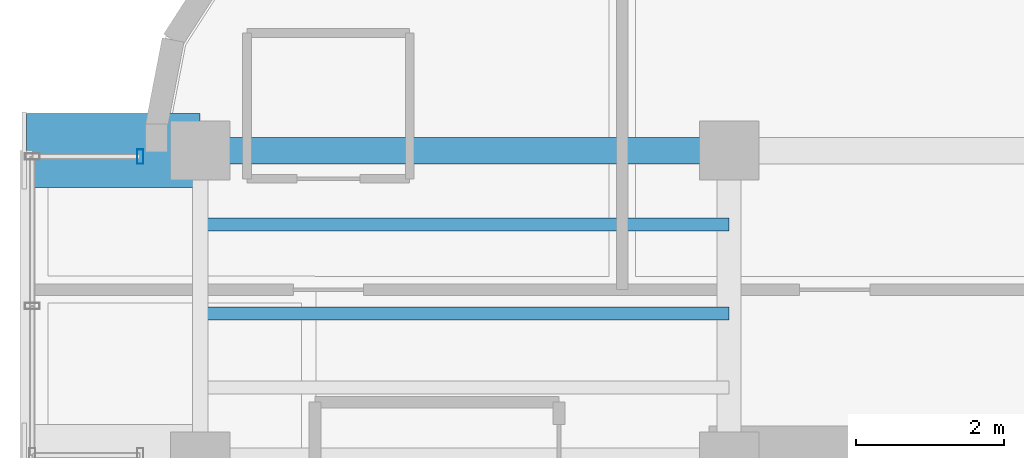
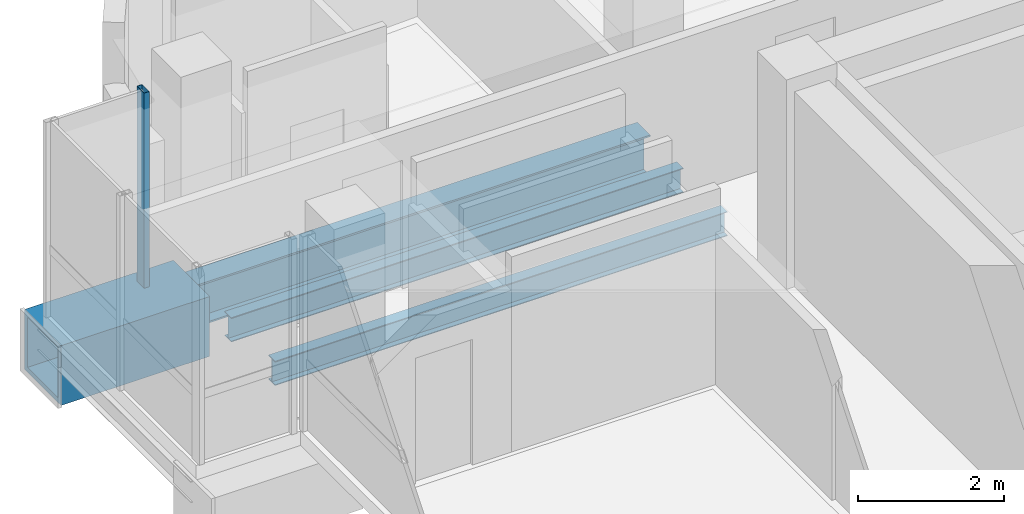
# One storey, part 8 of 21: 4 beams, 1 member, 1 element without a shape of its own.
"""IFC4 building model written with IfcOpenShell, lengths in metres."""

from ifc_helpers import new_model, si_unit, direction, frame, origin, origin_2d, place, context, subcontext, project, spatial, hollow_rectangle, i_section, extrude, source, transform, mapped, material, material_profile, profile_set, type_object, element, aggregate, save


model = new_model("IFC4")

# Units and contexts
model_context = context("Model", 3, precision=1e-05, world=origin(), true_north=direction((0.0, 1.0)))
body_context = subcontext(model_context, "Body", "Model", "MODEL_VIEW")
ifc_project = project(units=[si_unit("LENGTHUNIT", "METRE"), si_unit("AREAUNIT", "SQUARE_METRE"), si_unit("VOLUMEUNIT", "CUBIC_METRE"), si_unit("PLANEANGLEUNIT", "RADIAN"), si_unit("MASSUNIT", "GRAM", prefix="KILO")], contexts=[model_context])

# Site, building, storey
site_placement = place(None, origin())
site = spatial("IfcSite", under=ifc_project, at=site_placement, CompositionType="ELEMENT")
building_placement = place(site_placement, origin())
building = spatial("IfcBuilding", under=site, at=building_placement, Name="Valdorenza Pilgrim Sanctuary Tower", CompositionType="ELEMENT")
storey_placement = place(building_placement, frame((0.0, 0.0, 251.0)))
storey = spatial("IfcBuildingStorey", under=building, at=storey_placement, Name="L65", CompositionType="ELEMENT", Elevation=251.0)

# Beams
ifc_material_1 = material(Name="Steel ASTM A992 Grade 50", Category="steel")
ifc_material_profile_1 = material_profile(ifc_material_1, i_section(OverallWidth=0.35595703125, OverallDepth=0.700927734375, WebThickness=0.016845703125, FlangeThickness=0.02734375, at=origin_2d()), Name="W27X161")
ifc_profile_set_1 = profile_set([ifc_material_profile_1], Name="Steel ASTM A992 Grade 50")
beam_type_1 = type_object("IfcBeamType", Name="STR-BM-GRD-W27", PredefinedType="BEAM", material=ifc_profile_set_1)
shared_shape_1 = source(origin(), body_context, "Body", "SweptSolid", [
    extrude(i_section(OverallWidth=0.35595703125, OverallDepth=0.700927734375, WebThickness=0.016845703125, FlangeThickness=0.02734375, at=origin_2d()), origin(), (0.0, 0.0, 1.0), 7.150146484375),
])
beam_1_placement = place(storey_placement, frame((-29.800048828125, 14.800048828125, -0.590576171875), z_axis=(1.0, 0.0, 0.0), x_axis=(0.0, 1.0, 0.0)))
element("IfcBeam", 1, at=beam_1_placement, inside=storey, type_object=beam_type_1, Name="L65 Floor Girder WA-XW-N2", PredefinedType="BEAM", context=body_context, shape_type="MappedRepresentation", body=[
    mapped(shared_shape_1, transform((0.0, 0.0, 0.0), x_axis=(1.0, 0.0, 0.0), y_axis=(0.0, 1.0, 0.0), z_axis=(0.0, 0.0, 1.0), scale=1.0)),
])
ifc_material_profile_2 = material_profile(ifc_material_1, i_section(OverallWidth=0.177978515625, OverallDepth=0.406005859375, WebThickness=0.0078125, FlangeThickness=0.0126953125, at=origin_2d()), Name="W16X40")
ifc_profile_set_2 = profile_set([ifc_material_profile_2], Name="Steel ASTM A992 Grade 50")
beam_type_2 = type_object("IfcBeamType", Name="STR-BM-JST-W16", PredefinedType="JOIST", material=ifc_profile_set_2)
shared_shape_2 = source(origin(), body_context, "Body", "SweptSolid", [
    extrude(i_section(OverallWidth=0.177978515625, OverallDepth=0.406005859375, WebThickness=0.0078125, FlangeThickness=0.0126953125, at=origin_2d()), origin(), (0.0, 0.0, 1.0), 7.150146484375),
])
for number, where, z_axis, x_axis, name in (
    (2, (-29.800048828125, 12.60009765625, -0.443115234375), (1.0, 0.0, 0.0), (0.0, 1.0, 0.0), "L65 Composite Floor Joist JST-WA-25"),
    (3, (-29.800048828125, 13.800048828125, -0.443115234375), (1.0, 0.0, 0.0), (0.0, 1.0, 0.0), "L65 Composite Floor Joist JST-WA-26"),
):
    element("IfcBeam", number, at=place(storey_placement, frame(where, z_axis=z_axis, x_axis=x_axis)), inside=storey, type_object=beam_type_2, Name=name, PredefinedType="JOIST", context=body_context, shape_type="MappedRepresentation", body=[
        mapped(shared_shape_2, transform((0.0, 0.0, 0.0), x_axis=(1.0, 0.0, 0.0), y_axis=(0.0, 1.0, 0.0), z_axis=(0.0, 0.0, 1.0), scale=1.0)),
    ])
ifc_material_2 = material(Name="Steel ASTM A572 Grade 42", Category="steel")
ifc_material_profile_3 = material_profile(ifc_material_2, hollow_rectangle(XDim=1.0, YDim=1.0, WallThickness=0.080078125, at=origin_2d()), Name="BOX 1000x1000x80")
ifc_profile_set_3 = profile_set([ifc_material_profile_3], Name="Steel ASTM A572 Grade 42")
beam_type_3 = type_object("IfcBeamType", Name="STR-BM-PROW-CANT", PredefinedType="BEAM", material=ifc_profile_set_3)
shared_shape_3 = source(origin(), body_context, "Body", "SweptSolid", [
    extrude(hollow_rectangle(XDim=1.0, YDim=1.0, WallThickness=0.080078125, at=origin_2d()), origin(), (0.0, 0.0, 1.0), 2.349853515625),
])
beam_2_placement = place(storey_placement, frame((-29.800048828125, 14.800048828125, -0.739990234375), z_axis=(-1.0, 0.0, 0.0), x_axis=(0.0, -1.0, 0.0)))
element("IfcBeam", 4, at=beam_2_placement, inside=storey, type_object=beam_type_3, Name="L65 Glass Box Cantilever Beam BOX-WA-L65-CT-N", PredefinedType="BEAM", context=body_context, shape_type="MappedRepresentation", body=[
    mapped(shared_shape_3, transform((0.0, 0.0, 0.0), x_axis=(1.0, 0.0, 0.0), y_axis=(0.0, 1.0, 0.0), z_axis=(0.0, 0.0, 1.0), scale=1.0)),
])

# Curtain wall, member
ifc_material_3 = material(Name="Curtain-wall IGU glazing", Category="glass")
curtain_wall_type = type_object("IfcCurtainWallType", Name="CW-SYS-02", PredefinedType="NOTDEFINED", material=ifc_material_3)
curtain_wall_placement = place(storey_placement, origin())
curtain_wall = element("IfcCurtainWall", 5, at=curtain_wall_placement, inside=storey, type_object=curtain_wall_type, Name="L65 Curtain Wall CW-L65-BOX-WA-L65-N", PredefinedType="NOTDEFINED")
ifc_material_4 = material(Name="Anodised aluminium AW-6060", Category="aluminium")
ifc_material_profile_4 = material_profile(ifc_material_4, hollow_rectangle(XDim=0.0849609375, YDim=0.199951171875, WallThickness=0.0048828125, at=origin_2d()), Name="ALU-M 200x85x5")
ifc_profile_set_4 = profile_set([ifc_material_profile_4], Name="Anodised aluminium AW-6060")
member_type = type_object("IfcMemberType", Name="CW-MUL-02", PredefinedType="MULLION", material=ifc_profile_set_4)
shared_shape_4 = source(origin(), body_context, "Body", "SweptSolid", [
    extrude(hollow_rectangle(XDim=0.0849609375, YDim=0.199951171875, WallThickness=0.0048828125, at=origin_2d()), origin(), (0.0, 0.0, 1.0), 3.260009765625),
])
member_placement = place(storey_placement, frame((-30.610107421875, 14.719970703125, 0.0), z_axis=(0.0, 0.0, 1.0), x_axis=(1.0, 0.0, 0.0)))
member = element("IfcMember", 6, at=member_placement, type_object=member_type, Name="CW-L65-BOX-WA-L65-N Mullion 2", PredefinedType="MULLION", context=body_context, shape_type="MappedRepresentation", body=[
    mapped(shared_shape_4, transform((0.0, 0.0, 0.0), x_axis=(1.0, 0.0, 0.0), y_axis=(0.0, 1.0, 0.0), z_axis=(0.0, 0.0, 1.0), scale=1.0)),
])
aggregate(curtain_wall, [member])

save(model, "model.ifc")
